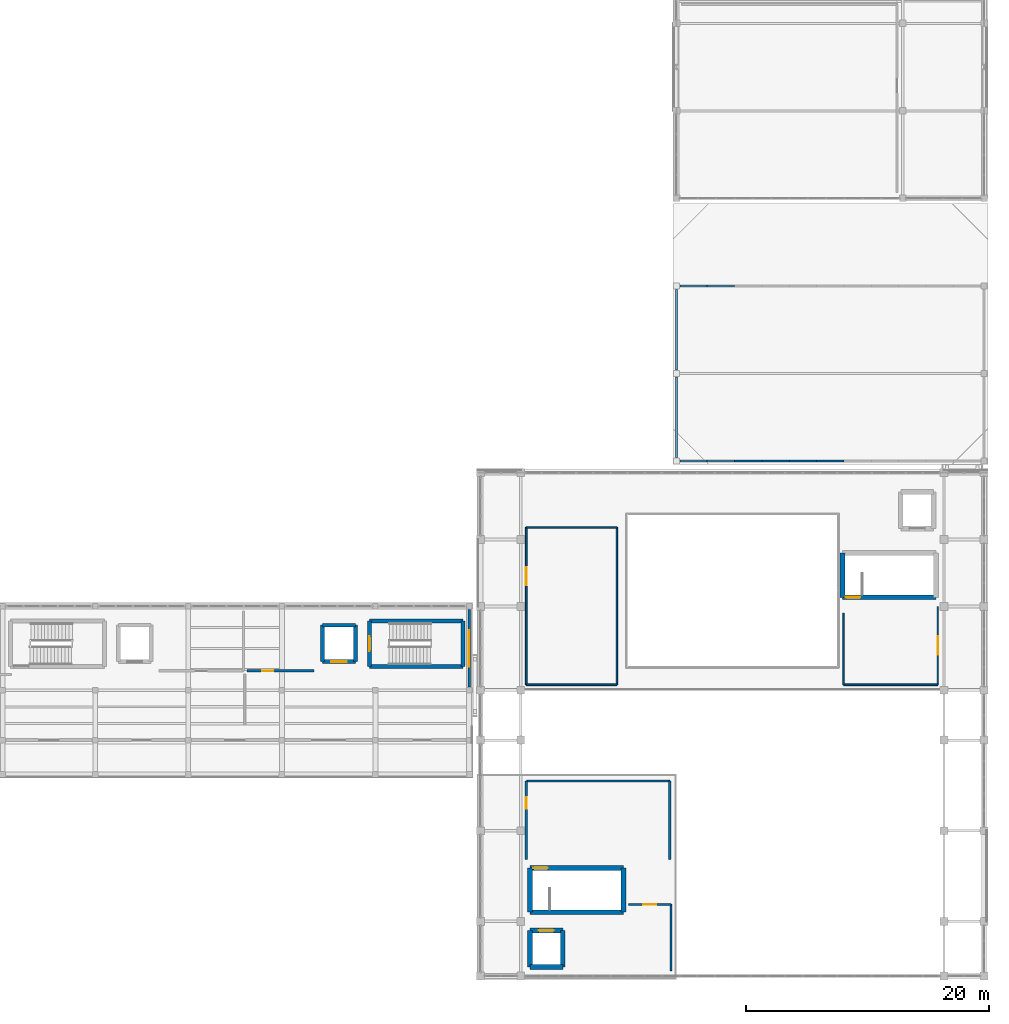
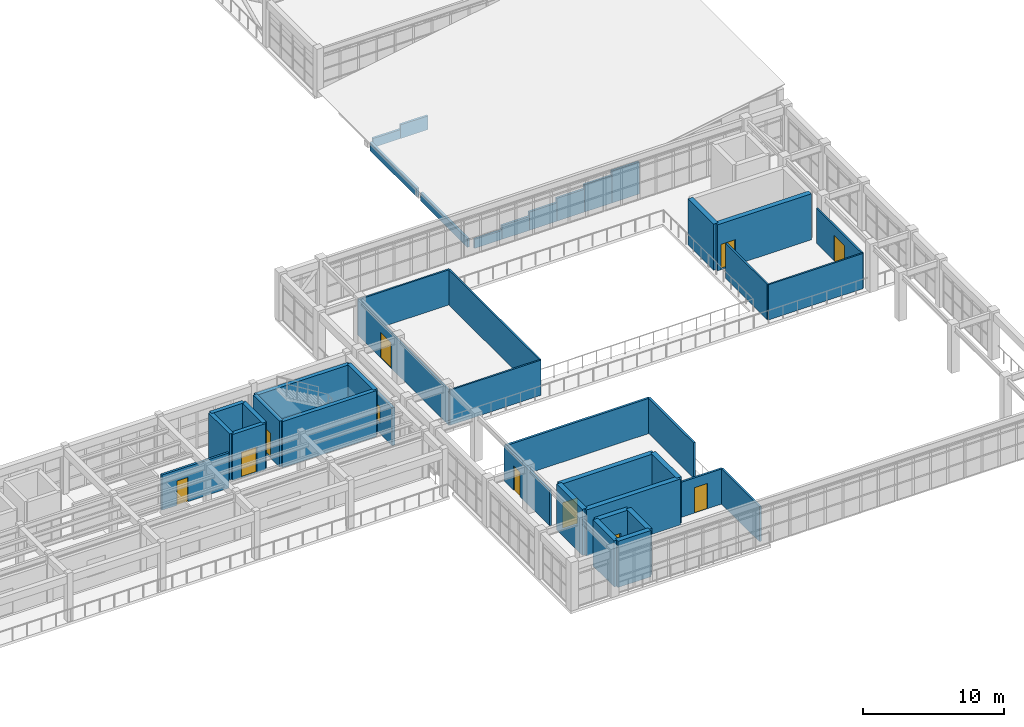
# One storey, part 55 of 66: 42 walls, 10 doors, 1 window, 11 openings.
"""IFC4 building model written with IfcOpenShell, lengths in metres."""

import ifcopenshell
import ifcopenshell.guid

model = None  # the IFC model being written
_history = None  # IfcOwnerHistory: only IFC2X3 demands one
_inside = {}  # id of a spatial element -> (the spatial element, [elements in it])
_under = {}  # id of a project, library or spatial element -> (it, [spatial elements below it])
_declared = {}  # id of a project -> (the project, [libraries it declares])
_typed = {}  # id of a type object -> (the type object, [elements of that type])
_made_of = {}  # id of a material, layer set ... -> (it, [elements and type objects made of it])


def new_model(schema):
    """Start an empty IFC model of exactly this schema.

    Asked for "IFC4X3", IfcOpenShell would pick the latest addendum, in which some entities
    have other attributes; the version numbers below select the first issue.
    IFC2X3 requires an IfcOwnerHistory on every rooted entity: one is made here for all.
    """
    global model, _history
    if schema == "IFC4X3":
        model = ifcopenshell.file(schema_version=(4, 3, 0, 0))
    else:
        model = ifcopenshell.file(schema=schema)
    _inside.clear()
    _under.clear()
    _declared.clear()
    _typed.clear()
    _made_of.clear()
    _history = None
    if model.schema == "IFC2X3":
        org = make("IfcOrganization", Name="unknown")
        user = make(
            "IfcPersonAndOrganization",
            ThePerson=make("IfcPerson", FamilyName="unknown"),
            TheOrganization=org,
        )
        app = make(
            "IfcApplication",
            ApplicationDeveloper=org,
            Version="unknown",
            ApplicationFullName="unknown",
            ApplicationIdentifier="unknown",
        )
        _history = make(
            "IfcOwnerHistory",
            OwningUser=user,
            OwningApplication=app,
            ChangeAction="ADDED",
            CreationDate=0,
        )
    return model


def make(cls, **values):
    """One entity of the class cls with the attributes given. An attribute that is None is left unset."""
    return model.create_entity(
        cls, **{name: value for name, value in values.items() if value is not None}
    )


def rooted(cls, **values):
    """An entity with a GlobalId (a new one), such as an element, a storey or a relation."""
    return make(cls, GlobalId=ifcopenshell.guid.new(), OwnerHistory=_history, **values)


def si_unit(unit_type, name, prefix=None):
    """IfcSIUnit, for example si_unit("LENGTHUNIT", "METRE", prefix="MILLI")."""
    return make("IfcSIUnit", UnitType=unit_type, Prefix=prefix, Name=name)


def assignment(units):
    """IfcUnitAssignment: the units of a project."""
    return None if units is None else make("IfcUnitAssignment", Units=units)


def point(xyz):
    """IfcCartesianPoint."""
    return None if xyz is None else make("IfcCartesianPoint", Coordinates=xyz)


def direction(xyz):
    """IfcDirection."""
    return None if xyz is None else make("IfcDirection", DirectionRatios=xyz)


def frame(location, z_axis=None, x_axis=None):
    """IfcAxis2Placement3D, a coordinate frame: its origin and axes. An axis left out is left unset."""
    return make(
        "IfcAxis2Placement3D",
        Location=point(location),
        Axis=direction(z_axis),
        RefDirection=direction(x_axis),
    )


def frame_2d(location, x_axis=None):
    """IfcAxis2Placement2D, a coordinate frame in the plane: its origin and x axis."""
    return make(
        "IfcAxis2Placement2D", Location=point(location), RefDirection=direction(x_axis)
    )


def origin():
    """The frame at (0, 0, 0) with its axes left unset."""
    return frame((0.0, 0.0, 0.0))


def place(relative_to, where):
    """IfcLocalPlacement: puts the frame where relative to a parent placement (None: the world)."""
    return make(
        "IfcLocalPlacement", PlacementRelTo=relative_to, RelativePlacement=where
    )


def context(
    kind, dimensions, precision=None, world=None, true_north=None, identifier=None
):
    """IfcGeometricRepresentationContext, for example the 3D "Model" context."""
    return make(
        "IfcGeometricRepresentationContext",
        ContextIdentifier=identifier,
        ContextType=kind,
        CoordinateSpaceDimension=dimensions,
        Precision=precision,
        WorldCoordinateSystem=world,
        TrueNorth=true_north,
    )


def subcontext(parent, identifier, kind, view, scale=None):
    """IfcGeometricRepresentationSubContext, for example "Body" below "Model"."""
    return make(
        "IfcGeometricRepresentationSubContext",
        ContextIdentifier=identifier,
        ContextType=kind,
        ParentContext=parent,
        TargetScale=scale,
        TargetView=view,
    )


def project(units=None, contexts=None):
    """IfcProject with its units and contexts."""
    return rooted(
        "IfcProject",
        Name="project",
        RepresentationContexts=contexts,
        UnitsInContext=assignment(units),
    )


def spatial(cls, under=None, at=None, **own):
    """A site, building, storey or space (cls), placed at a placement, below another one or the project."""
    s = rooted(cls, ObjectPlacement=at, **own)
    if under is not None:
        _under.setdefault(under.id(), (under, []))[1].append(s)
    return s


def profile(cls, at=None, kind="AREA", **sizes):
    """A parametric profile (cls). Its sizes go by their IFC names, for example OverallWidth=200.0."""
    return make(cls, ProfileType=kind, Position=at, **sizes)


def rectangle(**sizes):
    """IfcRectangleProfileDef."""
    return profile("IfcRectangleProfileDef", **sizes)


def extrude(swept, where, along, depth):
    """IfcExtrudedAreaSolid: the profile swept, set in the frame where, extruded along a direction by depth."""
    return make(
        "IfcExtrudedAreaSolid",
        SweptArea=swept,
        Position=where,
        ExtrudedDirection=direction(along),
        Depth=depth,
    )


def shape(context_of_items, identifier, shape_type, items):
    """IfcShapeRepresentation: the items that make up one representation, for example the "Body"."""
    return make(
        "IfcShapeRepresentation",
        ContextOfItems=context_of_items,
        RepresentationIdentifier=identifier,
        RepresentationType=shape_type,
        Items=items,
    )


def material(Name=None, Category=None):
    """IfcMaterial."""
    return make("IfcMaterial", Name=Name, Category=Category)


def layer(
    of_material, thickness, ventilated=None, Name=None, Category=None, Priority=None
):
    """IfcMaterialLayer: one layer of a wall or slab, of a material (None: an air gap)."""
    return make(
        "IfcMaterialLayer",
        Material=of_material,
        LayerThickness=thickness,
        IsVentilated=ventilated,
        Name=Name,
        Category=Category,
        Priority=Priority,
    )


def layer_set(layers, Name=None):
    """IfcMaterialLayerSet."""
    return make("IfcMaterialLayerSet", MaterialLayers=layers, LayerSetName=Name)


def made_of(thing, what):
    """Note that an element or type object is made of a material, layer set ...; save() writes the relation."""
    if what is not None:
        _made_of.setdefault(what.id(), (what, []))[1].append(thing)
    return thing


def type_object(cls, material=None, **own):
    """A type object (cls), such as IfcWallType, which elements share."""
    return made_of(rooted(cls, **own), material)


def element(
    cls,
    number,
    at=None,
    inside=None,
    cuts=None,
    type_object=None,
    material=None,
    context=None,
    identifier="Body",
    shape_type=None,
    held_by="IfcProductDefinitionShape",
    body=None,
    shapes=None,
    **own,
):
    """One element of the class cls, such as IfcWall. Its Tag is "e" and its number.

    at: its placement. inside: the storey or other place that contains it. cuts: it is an
    opening in that element (IfcRelVoidsElement). A single representation is given by context,
    identifier, shape_type and body (its items); several are given by shapes. held_by: the class
    of the entity that holds the representations. save() writes the other relations.
    """
    e = rooted(cls, Tag="e%d" % number, ObjectPlacement=at, **own)
    if body is not None:
        shapes = [shape(context, identifier, shape_type, body)]
    if shapes is not None:
        e.Representation = make(held_by, Representations=shapes)
    if inside is not None:
        _inside.setdefault(inside.id(), (inside, []))[1].append(e)
    if cuts is not None:
        rooted(
            "IfcRelVoidsElement", RelatingBuildingElement=cuts, RelatedOpeningElement=e
        )
    if type_object is not None:
        _typed.setdefault(type_object.id(), (type_object, []))[1].append(e)
    return made_of(e, material)


def fill(opening, filler):
    """IfcRelFillsElement: the door or window that sits in an opening."""
    return rooted(
        "IfcRelFillsElement",
        RelatingOpeningElement=opening,
        RelatedBuildingElement=filler,
    )


def aggregate(whole, parts):
    """IfcRelAggregates: a whole, such as a stair, and the parts it consists of."""
    return rooted("IfcRelAggregates", RelatingObject=whole, RelatedObjects=parts)


def save(model, path):
    """Write the relations noted so far, then the file.

    IfcRelAggregates (storeys below a building ...), IfcRelContainedInSpatialStructure (elements
    in a storey), IfcRelDefinesByType, IfcRelAssociatesMaterial and IfcRelDeclares: one each for
    every whole, place, type object, material and project.
    """
    for whole, parts in _under.values():
        aggregate(whole, parts)
    for where, things in _inside.values():
        rooted(
            "IfcRelContainedInSpatialStructure",
            RelatedElements=things,
            RelatingStructure=where,
        )
    for kind, things in _typed.values():
        rooted("IfcRelDefinesByType", RelatedObjects=things, RelatingType=kind)
    for what, things in _made_of.values():
        rooted("IfcRelAssociatesMaterial", RelatedObjects=things, RelatingMaterial=what)
    for by, libraries in _declared.values():
        rooted("IfcRelDeclares", RelatingContext=by, RelatedDefinitions=libraries)
    model.write(path)


model = new_model("IFC4")

# Units and contexts
model_context = context("Model", 3, precision=1e-05, world=origin(), true_north=direction((0.0, 1.0)))
body_context = subcontext(model_context, "Body", "Model", "MODEL_VIEW")
ifc_project = project(units=[si_unit("LENGTHUNIT", "METRE"), si_unit("AREAUNIT", "SQUARE_METRE"), si_unit("VOLUMEUNIT", "CUBIC_METRE"), si_unit("PLANEANGLEUNIT", "RADIAN"), si_unit("MASSUNIT", "GRAM", prefix="KILO")], contexts=[model_context])

# Site, building, storey
site_placement = place(None, origin())
site = spatial("IfcSite", under=ifc_project, at=site_placement, CompositionType="ELEMENT")
building_placement = place(site_placement, origin())
building = spatial("IfcBuilding", under=site, at=building_placement, Name="Candilejo Ridge Gondola Terminal", CompositionType="ELEMENT")
storey_placement = place(building_placement, frame((0.0, 0.0, 14.39990234375)))
storey = spatial("IfcBuildingStorey", under=building, at=storey_placement, Name="L03", CompositionType="ELEMENT", Elevation=14.39990234375)

# Wall, opening, window
ifc_material_1 = material(Name="Concrete C20/25 masonry blockwork (f'm 14 MPa)", Category="masonry")
ifc_layer_1 = layer(ifc_material_1, 0.219970703125)
ifc_layer_set_1 = layer_set([ifc_layer_1], Name="ARC-EXT-WALL-220")
wall_type_1 = type_object("IfcWallType", Name="ARC-EXT-WALL-220", PredefinedType="STANDARD", material=ifc_layer_set_1)
wall_1_placement = place(storey_placement, frame((132.949951171875, 36.449951171875, 0.0), z_axis=(0.0, 0.0, 1.0), x_axis=(0.0, -1.0, 0.0)))
wall_1 = element("IfcWall", 1, at=wall_1_placement, inside=storey, type_object=wall_type_1, Name="Exterior facade wall EW-V3-L03-084", PredefinedType="STANDARD", context=body_context, shape_type="SweptSolid", body=[
    extrude(rectangle(XDim=6.39990234375, YDim=0.219970703125, at=frame_2d((3.199951171875, 0.0))), origin(), (0.0, 0.0, 1.0), 3.280029296875),
])
opening_1_placement = place(wall_1_placement, frame((1.699951171875, 0.0, 0.8798828125)))
opening_1 = element("IfcOpeningElement", 2, at=opening_1_placement, cuts=wall_1, Name="Opening WN-05", PredefinedType="OPENING", context=body_context, shape_type="SweptSolid", body=[
    extrude(rectangle(XDim=3.0, YDim=1.449951171875, at=frame_2d((1.5, 0.72509765625))), frame((0.0, 0.119873046875, 0.0), z_axis=(0.0, -1.0, 0.0), x_axis=(1.0, 0.0, 0.0)), (0.0, 0.0, 1.0), 0.239990234375),
])
ifc_material_2 = material(Name="Low-E laminated double glazing 6+12A+6+1.52PVB+6 mm", Category="glass")
window_type = type_object("IfcWindowType", Name="ARC-WIN-3000X1650", PartitioningType="SINGLE_PANEL", PredefinedType="WINDOW", material=ifc_material_2)
window_placement = place(opening_1_placement, origin())
window = element("IfcWindow", 3, at=window_placement, inside=storey, type_object=window_type, Name="Window WIN-040", OverallHeight=1.449951171875, OverallWidth=3.0, PartitioningType="SINGLE_PANEL", PredefinedType="WINDOW", context=body_context, shape_type="SweptSolid", body=[
    extrude(rectangle(XDim=3.0, YDim=1.449951171875, at=frame_2d((1.5, 0.72509765625))), frame((0.0, 0.030029296875, 0.0), z_axis=(0.0, -1.0, 0.0), x_axis=(1.0, 0.0, 0.0)), (0.0, 0.0, 1.0), 0.06005859375),
])
fill(opening_1, window)

# Walls
ifc_material_3 = material(Name="Concrete f'c 35 MPa (C35/45)", Category="concrete")
ifc_layer_2 = layer(ifc_material_3, 0.179931640625)
ifc_layer_set_2 = layer_set([ifc_layer_2], Name="ARC-PARAPET-WALL-180")
wall_type_2 = type_object("IfcWallType", Name="ARC-PARAPET-WALL-180", PredefinedType="PARAPET", material=ifc_layer_set_2)
for number, where, z_axis, x_axis, name in (
    (4, (150.0, 48.929931640625, -0.239990234375), (0.0, 0.0, 1.0), (0.0, 1.0, 0.0), "Roof perimeter gable/spandrel wall L03-099"),
    (5, (150.0, 56.1298828125, -0.239990234375), (0.0, 0.0, 1.0), (0.0, 1.0, 0.0), "Roof perimeter gable/spandrel wall L03-100"),
):
    element("IfcWall", number, at=place(storey_placement, frame(where, z_axis=z_axis, x_axis=x_axis)), inside=storey, type_object=wall_type_2, Name=name, PredefinedType="PARAPET", context=body_context, shape_type="SweptSolid", body=[
        extrude(rectangle(XDim=6.64013671875, YDim=0.179931640625, at=frame_2d((3.320068359375, 0.0))), origin(), (0.0, 0.0, 1.0), 0.740234375),
    ])
wall_2_placement = place(storey_placement, frame((150.280029296875, 48.64990234375, -0.239990234375), z_axis=(0.0, 0.0, 1.0), x_axis=(1.0, 0.0, 0.0)))
element("IfcWall", 6, at=wall_2_placement, inside=storey, type_object=wall_type_2, Name="Roof perimeter gable/spandrel wall L03-103", PredefinedType="PARAPET", context=body_context, shape_type="SweptSolid", body=[
    extrude(rectangle(XDim=2.2490234375, YDim=0.179931640625, at=frame_2d((1.12451171875, 0.0))), origin(), (0.0, 0.0, 1.0), 0.78955078125),
])
wall_3_placement = place(storey_placement, frame((152.529052734375, 48.64990234375, -0.239990234375), z_axis=(0.0, 0.0, 1.0), x_axis=(1.0, 0.0, 0.0)))
element("IfcWall", 7, at=wall_3_placement, inside=storey, type_object=wall_type_2, Name="Roof perimeter gable/spandrel wall L03-104", PredefinedType="PARAPET", context=body_context, shape_type="SweptSolid", body=[
    extrude(rectangle(XDim=2.249267578125, YDim=0.179931640625, at=frame_2d((1.12451171875, 0.0))), origin(), (0.0, 0.0, 1.0), 1.186279296875),
])
wall_4_placement = place(storey_placement, frame((154.7783203125, 48.64990234375, -0.239990234375), z_axis=(0.0, 0.0, 1.0), x_axis=(1.0, 0.0, 0.0)))
element("IfcWall", 8, at=wall_4_placement, inside=storey, type_object=wall_type_2, Name="Roof perimeter gable/spandrel wall L03-105", PredefinedType="PARAPET", context=body_context, shape_type="SweptSolid", body=[
    extrude(rectangle(XDim=2.2490234375, YDim=0.179931640625, at=frame_2d((1.12451171875, 0.0))), origin(), (0.0, 0.0, 1.0), 1.582763671875),
])
wall_5_placement = place(storey_placement, frame((157.02734375, 48.64990234375, -0.239990234375), z_axis=(0.0, 0.0, 1.0), x_axis=(1.0, 0.0, 0.0)))
element("IfcWall", 9, at=wall_5_placement, inside=storey, type_object=wall_type_2, Name="Roof perimeter gable/spandrel wall L03-106", PredefinedType="PARAPET", context=body_context, shape_type="SweptSolid", body=[
    extrude(rectangle(XDim=2.2490234375, YDim=0.179931640625, at=frame_2d((1.12451171875, 0.0))), origin(), (0.0, 0.0, 1.0), 1.979248046875),
])
wall_6_placement = place(storey_placement, frame((159.2763671875, 48.64990234375, -0.239990234375), z_axis=(0.0, 0.0, 1.0), x_axis=(1.0, 0.0, 0.0)))
element("IfcWall", 10, at=wall_6_placement, inside=storey, type_object=wall_type_2, Name="Roof perimeter gable/spandrel wall L03-107", PredefinedType="PARAPET", context=body_context, shape_type="SweptSolid", body=[
    extrude(rectangle(XDim=2.2490234375, YDim=0.179931640625, at=frame_2d((1.12451171875, 0.0))), origin(), (0.0, 0.0, 1.0), 2.3759765625),
])
wall_7_placement = place(storey_placement, frame((161.525390625, 48.64990234375, -0.239990234375), z_axis=(0.0, 0.0, 1.0), x_axis=(1.0, 0.0, 0.0)))
element("IfcWall", 11, at=wall_7_placement, inside=storey, type_object=wall_type_2, Name="Roof perimeter gable/spandrel wall L03-108", PredefinedType="PARAPET", context=body_context, shape_type="SweptSolid", body=[
    extrude(rectangle(XDim=2.2490234375, YDim=0.179931640625, at=frame_2d((1.12451171875, 0.0))), origin(), (0.0, 0.0, 1.0), 2.7724609375),
])
wall_8_placement = place(storey_placement, frame((150.280029296875, 63.050048828125, -0.239990234375), z_axis=(0.0, 0.0, 1.0), x_axis=(1.0, 0.0, 0.0)))
element("IfcWall", 12, at=wall_8_placement, inside=storey, type_object=wall_type_2, Name="Roof perimeter gable/spandrel wall L03-114", PredefinedType="PARAPET", context=body_context, shape_type="SweptSolid", body=[
    extrude(rectangle(XDim=2.2490234375, YDim=0.179931640625, at=frame_2d((1.12451171875, 0.0))), origin(), (0.0, 0.0, 1.0), 0.78955078125),
])
wall_9_placement = place(storey_placement, frame((152.529052734375, 63.050048828125, -0.239990234375), z_axis=(0.0, 0.0, 1.0), x_axis=(1.0, 0.0, 0.0)))
element("IfcWall", 13, at=wall_9_placement, inside=storey, type_object=wall_type_2, Name="Roof perimeter gable/spandrel wall L03-115", PredefinedType="PARAPET", context=body_context, shape_type="SweptSolid", body=[
    extrude(rectangle(XDim=2.249267578125, YDim=0.179931640625, at=frame_2d((1.12451171875, 0.0))), origin(), (0.0, 0.0, 1.0), 1.186279296875),
])
ifc_material_4 = material(Name="Gypsum board Type X acoustic partition (2x15.9 mm)", Category="gypsum")
ifc_layer_3 = layer(ifc_material_4, 0.135009765625)
ifc_layer_set_3 = layer_set([ifc_layer_3], Name="ARC-PART-GYP135")
wall_type_3 = type_object("IfcWallType", Name="ARC-PART-GYP135", PredefinedType="PARTITIONING", material=ifc_layer_set_3)
wall_10_placement = place(storey_placement, frame((137.64990234375, 30.25, 0.0), z_axis=(0.0, 0.0, 1.0), x_axis=(1.0, 0.0, 0.0)))
element("IfcWall", 14, at=wall_10_placement, inside=storey, type_object=wall_type_3, Name="Interior partition PT-V4-L03-0116", PredefinedType="PARTITIONING", context=body_context, shape_type="SweptSolid", body=[
    extrude(rectangle(XDim=7.4501953125, YDim=0.135009765625, at=frame_2d((3.72509765625, 0.0))), origin(), (0.0, 0.0, 1.0), 3.050048828125),
])

# Wall, opening, door
wall_11_placement = place(storey_placement, frame((137.64990234375, 30.25, 0.0), z_axis=(0.0, 0.0, 1.0), x_axis=(0.0, 1.0, 0.0)))
wall_11 = element("IfcWall", 15, at=wall_11_placement, inside=storey, type_object=wall_type_3, Name="Interior partition PT-V4-L03-0117", PredefinedType="PARTITIONING", context=body_context, shape_type="SweptSolid", body=[
    extrude(rectangle(XDim=12.949951171875, YDim=0.135009765625, at=frame_2d((6.47509765625, 0.0))), origin(), (0.0, 0.0, 1.0), 3.050048828125),
])
opening_2_placement = place(wall_11_placement, frame((8.175048828125, 0.0, 0.0)))
opening_2 = element("IfcOpeningElement", 16, at=opening_2_placement, cuts=wall_11, Name="Opening ID-03B", PredefinedType="OPENING", context=body_context, shape_type="SweptSolid", body=[
    extrude(rectangle(XDim=1.5, YDim=2.199951171875, at=frame_2d((0.75, 1.10009765625))), frame((0.0, 0.077392578125, 0.0), z_axis=(0.0, -1.0, 0.0), x_axis=(1.0, 0.0, 0.0)), (0.0, 0.0, 1.0), 0.155029296875),
])
ifc_material_5 = material(Name="Solid-core fire-rated hardwood door leaf", Category="wood")
door_type_1 = type_object("IfcDoorType", Name="ARC-DOOR-DBL-1500", OperationType="NOTDEFINED", PredefinedType="DOOR", material=ifc_material_5)
door_1_placement = place(opening_2_placement, origin())
door_1 = element("IfcDoor", 17, at=door_1_placement, inside=storey, type_object=door_type_1, Name="Interior door IDR-0064 (312)", OperationType="DOUBLE_DOOR_SINGLE_SWING", OverallHeight=2.199951171875, OverallWidth=1.5, PredefinedType="DOOR", context=body_context, shape_type="SweptSolid", body=[
    extrude(rectangle(XDim=1.5, YDim=2.199951171875, at=frame_2d((0.75, 1.10009765625))), frame((0.0, 0.02490234375, 0.0), z_axis=(0.0, -1.0, 0.0), x_axis=(1.0, 0.0, 0.0)), (0.0, 0.0, 1.0), 0.050048828125),
])
fill(opening_2, door_1)

# Walls
wall_12_placement = place(storey_placement, frame((145.10009765625, 30.25, 0.0), z_axis=(0.0, 0.0, 1.0), x_axis=(0.0, 1.0, 0.0)))
element("IfcWall", 18, at=wall_12_placement, inside=storey, type_object=wall_type_3, Name="Interior partition PT-V4-L03-0118", PredefinedType="PARTITIONING", context=body_context, shape_type="SweptSolid", body=[
    extrude(rectangle(XDim=12.949951171875, YDim=0.135009765625, at=frame_2d((6.47509765625, 0.0))), origin(), (0.0, 0.0, 1.0), 3.050048828125),
])
wall_13_placement = place(storey_placement, frame((137.64990234375, 43.199951171875, 0.0), z_axis=(0.0, 0.0, 1.0), x_axis=(1.0, 0.0, 0.0)))
element("IfcWall", 19, at=wall_13_placement, inside=storey, type_object=wall_type_3, Name="Interior partition PT-V4-L03-0119", PredefinedType="PARTITIONING", context=body_context, shape_type="SweptSolid", body=[
    extrude(rectangle(XDim=7.4501953125, YDim=0.135009765625, at=frame_2d((3.72509765625, 0.0))), origin(), (0.0, 0.0, 1.0), 3.050048828125),
])
wall_14_placement = place(storey_placement, frame((163.75, 30.25, 0.0), z_axis=(0.0, 0.0, 1.0), x_axis=(1.0, 0.0, 0.0)))
element("IfcWall", 20, at=wall_14_placement, inside=storey, type_object=wall_type_3, Name="Interior partition PT-V4-L03-0120", PredefinedType="PARTITIONING", context=body_context, shape_type="SweptSolid", body=[
    extrude(rectangle(XDim=7.75, YDim=0.135009765625, at=frame_2d((3.875, 0.0))), origin(), (0.0, 0.0, 1.0), 3.050048828125),
])
wall_15_placement = place(storey_placement, frame((163.75, 30.25, 0.0), z_axis=(0.0, 0.0, 1.0), x_axis=(0.0, 1.0, 0.0)))
element("IfcWall", 21, at=wall_15_placement, inside=storey, type_object=wall_type_3, Name="Interior partition PT-V4-L03-0121", PredefinedType="PARTITIONING", context=body_context, shape_type="SweptSolid", body=[
    extrude(rectangle(XDim=5.89990234375, YDim=0.135009765625, at=frame_2d((2.949951171875, 0.0))), origin(), (0.0, 0.0, 1.0), 3.050048828125),
])

# Wall, opening, door
wall_16_placement = place(storey_placement, frame((171.5, 30.25, 0.0), z_axis=(0.0, 0.0, 1.0), x_axis=(0.0, 1.0, 0.0)))
wall_16 = element("IfcWall", 22, at=wall_16_placement, inside=storey, type_object=wall_type_3, Name="Interior partition PT-V4-L03-0122", PredefinedType="PARTITIONING", context=body_context, shape_type="SweptSolid", body=[
    extrude(rectangle(XDim=6.449951171875, YDim=0.135009765625, at=frame_2d((3.22509765625, 0.0))), origin(), (0.0, 0.0, 1.0), 3.050048828125),
])
opening_3_placement = place(wall_16_placement, frame((2.47509765625, 0.0, 0.0)))
opening_3 = element("IfcOpeningElement", 23, at=opening_3_placement, cuts=wall_16, Name="Opening ID-03B", PredefinedType="OPENING", context=body_context, shape_type="SweptSolid", body=[
    extrude(rectangle(XDim=1.5, YDim=2.199951171875, at=frame_2d((0.75, 1.10009765625))), frame((0.0, 0.077392578125, 0.0), z_axis=(0.0, -1.0, 0.0), x_axis=(1.0, 0.0, 0.0)), (0.0, 0.0, 1.0), 0.155029296875),
])
door_2_placement = place(opening_3_placement, origin())
door_2 = element("IfcDoor", 24, at=door_2_placement, inside=storey, type_object=door_type_1, Name="Interior door IDR-0065 (314)", OperationType="DOUBLE_DOOR_SINGLE_SWING", OverallHeight=2.199951171875, OverallWidth=1.5, PredefinedType="DOOR", context=body_context, shape_type="SweptSolid", body=[
    extrude(rectangle(XDim=1.5, YDim=2.199951171875, at=frame_2d((0.75, 1.10009765625))), frame((0.0, 0.02490234375, 0.0), z_axis=(0.0, -1.0, 0.0), x_axis=(1.0, 0.0, 0.0)), (0.0, 0.0, 1.0), 0.050048828125),
])
fill(opening_3, door_2)

ifc_material_6 = material(Name="Gypsum board Type X acoustic partition (2x15.9 mm)", Category="gypsum")
ifc_layer_4 = layer(ifc_material_6, 0.159912109375)
ifc_layer_set_4 = layer_set([ifc_layer_4], Name="ARC-PART-GYP160-EI90")
wall_type_4 = type_object("IfcWallType", Name="ARC-PART-GYP160-EI90", PredefinedType="PARTITIONING", material=ifc_layer_set_4)
wall_17_placement = place(storey_placement, frame((146.050048828125, 12.199951171875, 0.0), z_axis=(0.0, 0.0, 1.0), x_axis=(1.0, 0.0, 0.0)))
wall_17 = element("IfcWall", 25, at=wall_17_placement, inside=storey, type_object=wall_type_4, Name="Interior partition PT-V4-L03-0111", PredefinedType="PARTITIONING", context=body_context, shape_type="SweptSolid", body=[
    extrude(rectangle(XDim=3.5, YDim=0.159912109375, at=frame_2d((1.75, 0.0))), origin(), (0.0, 0.0, 1.0), 3.050048828125),
])
opening_4_placement = place(wall_17_placement, frame((1.22509765625, 0.0, 0.0)))
opening_4 = element("IfcOpeningElement", 26, at=opening_4_placement, cuts=wall_17, Name="Opening ID-01A", PredefinedType="OPENING", context=body_context, shape_type="SweptSolid", body=[
    extrude(rectangle(XDim=1.050048828125, YDim=2.199951171875, at=frame_2d((0.52490234375, 1.10009765625))), frame((0.0, 0.08984375, 0.0), z_axis=(0.0, -1.0, 0.0), x_axis=(1.0, 0.0, 0.0)), (0.0, 0.0, 1.0), 0.179931640625),
])
ifc_material_7 = material(Name="Solid-core fire-rated hardwood door leaf", Category="wood")
door_type_2 = type_object("IfcDoorType", Name="ARC-DOOR-INT-1050", OperationType="NOTDEFINED", PredefinedType="DOOR", material=ifc_material_7)
door_3_placement = place(opening_4_placement, origin())
door_3 = element("IfcDoor", 27, at=door_3_placement, inside=storey, type_object=door_type_2, Name="Interior door IDR-0062 (310)", OperationType="SINGLE_SWING_RIGHT", OverallHeight=2.199951171875, OverallWidth=1.050048828125, PredefinedType="DOOR", context=body_context, shape_type="SweptSolid", body=[
    extrude(rectangle(XDim=1.050048828125, YDim=2.199951171875, at=frame_2d((0.52490234375, 1.10009765625))), frame((0.0, 0.02490234375, 0.0), z_axis=(0.0, -1.0, 0.0), x_axis=(1.0, 0.0, 0.0)), (0.0, 0.0, 1.0), 0.050048828125),
])
fill(opening_4, door_3)

# Wall
wall_18_placement = place(storey_placement, frame((149.550048828125, 6.75, 0.0), z_axis=(0.0, 0.0, 1.0), x_axis=(0.0, 1.0, 0.0)))
element("IfcWall", 28, at=wall_18_placement, inside=storey, type_object=wall_type_4, Name="Interior partition PT-V4-L03-0112", PredefinedType="PARTITIONING", context=body_context, shape_type="SweptSolid", body=[
    extrude(rectangle(XDim=5.449951171875, YDim=0.159912109375, at=frame_2d((2.72509765625, 0.0))), origin(), (0.0, 0.0, 1.0), 3.050048828125),
])

# Wall, opening, door
ifc_material_8 = material(Name="Concrete C20/25 masonry blockwork (f'm 14 MPa)", Category="masonry")
ifc_layer_5 = layer(ifc_material_8, 0.179931640625)
ifc_layer_set_5 = layer_set([ifc_layer_5], Name="ARC-WALL-PLUMBING-180")
wall_type_5 = type_object("IfcWallType", Name="ARC-WALL-PLUMBING-180", PredefinedType="PLUMBINGWALL", material=ifc_layer_set_5)
wall_19_placement = place(storey_placement, frame((114.699951171875, 31.39990234375, 0.0), z_axis=(0.0, 0.0, 1.0), x_axis=(1.0, 0.0, 0.0)))
wall_19 = element("IfcWall", 29, at=wall_19_placement, inside=storey, type_object=wall_type_5, Name="Interior partition PT-V3-L03-0110", PredefinedType="PLUMBINGWALL", context=body_context, shape_type="SweptSolid", body=[
    extrude(rectangle(XDim=5.5, YDim=0.179931640625, at=frame_2d((2.75, 0.0))), origin(), (0.0, 0.0, 1.0), 3.050048828125),
])
opening_5_placement = place(wall_19_placement, frame((1.239990234375, 0.0, 0.0)))
opening_5 = element("IfcOpeningElement", 30, at=opening_5_placement, cuts=wall_19, Name="Opening ID-04A", PredefinedType="OPENING", context=body_context, shape_type="SweptSolid", body=[
    extrude(rectangle(XDim=0.919921875, YDim=2.10009765625, at=frame_2d((0.4599609375, 1.050048828125))), frame((0.0, 0.099853515625, 0.0), z_axis=(0.0, -1.0, 0.0), x_axis=(1.0, 0.0, 0.0)), (0.0, 0.0, 1.0), 0.199951171875),
])
ifc_material_9 = material(Name="Solid-core fire-rated hardwood door leaf", Category="wood")
door_type_3 = type_object("IfcDoorType", Name="ARC-DOOR-WC-0920", OperationType="NOTDEFINED", PredefinedType="DOOR", material=ifc_material_9)
door_4_placement = place(opening_5_placement, origin())
door_4 = element("IfcDoor", 31, at=door_4_placement, inside=storey, type_object=door_type_3, Name="Interior door IDR-0061 (309)", OperationType="SINGLE_SWING_LEFT", OverallHeight=2.10009765625, OverallWidth=0.919921875, PredefinedType="DOOR", context=body_context, shape_type="SweptSolid", body=[
    extrude(rectangle(XDim=0.919921875, YDim=2.10009765625, at=frame_2d((0.4599609375, 1.050048828125))), frame((0.0, 0.02490234375, 0.0), z_axis=(0.0, -1.0, 0.0), x_axis=(1.0, 0.0, 0.0)), (0.0, 0.0, 1.0), 0.050048828125),
])
fill(opening_5, door_4)

# Wall
wall_20_placement = place(storey_placement, frame((137.64990234375, 22.35009765625, 0.0), z_axis=(0.0, 0.0, 1.0), x_axis=(1.0, 0.0, 0.0)))
element("IfcWall", 32, at=wall_20_placement, inside=storey, type_object=wall_type_5, Name="Interior partition PT-V4-L03-0113", PredefinedType="PLUMBINGWALL", context=body_context, shape_type="SweptSolid", body=[
    extrude(rectangle(XDim=11.800048828125, YDim=0.179931640625, at=frame_2d((5.89990234375, 0.0))), origin(), (0.0, 0.0, 1.0), 3.050048828125),
])

# Wall, opening, door
wall_21_placement = place(storey_placement, frame((137.64990234375, 15.89990234375, 0.0), z_axis=(0.0, 0.0, 1.0), x_axis=(0.0, 1.0, 0.0)))
wall_21 = element("IfcWall", 33, at=wall_21_placement, inside=storey, type_object=wall_type_5, Name="Interior partition PT-V4-L03-0114", PredefinedType="PLUMBINGWALL", context=body_context, shape_type="SweptSolid", body=[
    extrude(rectangle(XDim=6.4501953125, YDim=0.179931640625, at=frame_2d((3.22509765625, 0.0))), origin(), (0.0, 0.0, 1.0), 3.050048828125),
])
opening_6_placement = place(wall_21_placement, frame((4.1650390625, 0.0, 0.0)))
opening_6 = element("IfcOpeningElement", 34, at=opening_6_placement, cuts=wall_21, Name="Opening ID-04A", PredefinedType="OPENING", context=body_context, shape_type="SweptSolid", body=[
    extrude(rectangle(XDim=0.919921875, YDim=2.10009765625, at=frame_2d((0.4599609375, 1.050048828125))), frame((0.0, 0.099853515625, 0.0), z_axis=(0.0, -1.0, 0.0), x_axis=(1.0, 0.0, 0.0)), (0.0, 0.0, 1.0), 0.199951171875),
])
door_5_placement = place(opening_6_placement, origin())
door_5 = element("IfcDoor", 35, at=door_5_placement, inside=storey, type_object=door_type_3, Name="Interior door IDR-0063 (311)", OperationType="SINGLE_SWING_LEFT", OverallHeight=2.10009765625, OverallWidth=0.919921875, PredefinedType="DOOR", context=body_context, shape_type="SweptSolid", body=[
    extrude(rectangle(XDim=0.919921875, YDim=2.10009765625, at=frame_2d((0.4599609375, 1.050048828125))), frame((0.0, 0.02490234375, 0.0), z_axis=(0.0, -1.0, 0.0), x_axis=(1.0, 0.0, 0.0)), (0.0, 0.0, 1.0), 0.050048828125),
])
fill(opening_6, door_5)

# Walls
wall_22_placement = place(storey_placement, frame((149.449951171875, 15.89990234375, 0.0), z_axis=(0.0, 0.0, 1.0), x_axis=(0.0, 1.0, 0.0)))
element("IfcWall", 36, at=wall_22_placement, inside=storey, type_object=wall_type_5, Name="Interior partition PT-V4-L03-0115", PredefinedType="PLUMBINGWALL", context=body_context, shape_type="SweptSolid", body=[
    extrude(rectangle(XDim=6.4501953125, YDim=0.179931640625, at=frame_2d((3.22509765625, 0.0))), origin(), (0.0, 0.0, 1.0), 3.050048828125),
])
ifc_material_10 = material(Name="Concrete f'c 35 MPa (C35/45)", Category="concrete")
ifc_layer_6 = layer(ifc_material_10, 0.324951171875)
ifc_layer_set_6 = layer_set([ifc_layer_6], Name="STR-CORE-WALL-325")
wall_type_6 = type_object("IfcWallType", Name="STR-CORE-WALL-325", PredefinedType="SHEAR", material=ifc_layer_set_6)
for number, where, z_axis, x_axis, name in (
    (37, (124.75, 31.75, 0.0), (0.0, 0.0, 1.0), (1.0, 0.0, 0.0), "Core stair shear wall SW-C-V3B-L03-ST-S"),
    (38, (132.449951171875, 35.5, 0.0), (0.0, 0.0, 1.0), (-1.0, 0.0, 0.0), "Core stair shear wall SW-C-V3B-L03-ST-N"),
):
    element("IfcWall", number, at=place(storey_placement, frame(where, z_axis=z_axis, x_axis=x_axis)), inside=storey, type_object=wall_type_6, Name=name, PredefinedType="SHEAR", context=body_context, shape_type="SweptSolid", body=[
        extrude(rectangle(XDim=7.699951171875, YDim=0.324951171875, at=frame_2d((3.85009765625, 0.0))), origin(), (0.0, 0.0, 1.0), 3.989990234375),
    ])

# Wall, opening, door
wall_23_placement = place(storey_placement, frame((124.75, 35.5, 0.0), z_axis=(0.0, 0.0, 1.0), x_axis=(0.0, -1.0, 0.0)))
wall_23 = element("IfcWall", 39, at=wall_23_placement, inside=storey, type_object=wall_type_6, Name="Core stair shear wall SW-C-V3B-L03-ST-W", PredefinedType="SHEAR", context=body_context, shape_type="SweptSolid", body=[
    extrude(rectangle(XDim=3.75, YDim=0.324951171875, at=frame_2d((1.875, 0.0))), origin(), (0.0, 0.0, 1.0), 3.989990234375),
])
opening_7_placement = place(wall_23_placement, frame((1.27490234375, 0.0, 0.0)))
opening_7 = element("IfcOpeningElement", 40, at=opening_7_placement, cuts=wall_23, Name="Opening FD-01", PredefinedType="OPENING", context=body_context, shape_type="SweptSolid", body=[
    extrude(rectangle(XDim=1.199951171875, YDim=2.199951171875, at=frame_2d((0.60009765625, 1.10009765625))), frame((0.0, 0.17236328125, 0.0), z_axis=(0.0, -1.0, 0.0), x_axis=(1.0, 0.0, 0.0)), (0.0, 0.0, 1.0), 0.344970703125),
])
ifc_material_11 = material(Name="Steel ASTM A653 Grade 33 hollow-metal door", Category="steel")
door_type_4 = type_object("IfcDoorType", Name="ARC-DOOR-FD90-1200", OperationType="NOTDEFINED", PredefinedType="DOOR", material=ifc_material_11)
door_6_placement = place(opening_7_placement, origin())
door_6 = element("IfcDoor", 41, at=door_6_placement, inside=storey, type_object=door_type_4, Name="Fire stair door SDR-023", OperationType="SINGLE_SWING_LEFT", OverallHeight=2.199951171875, OverallWidth=1.199951171875, PredefinedType="DOOR", context=body_context, shape_type="SweptSolid", body=[
    extrude(rectangle(XDim=1.199951171875, YDim=2.199951171875, at=frame_2d((0.60009765625, 1.10009765625))), frame((0.0, 0.02490234375, 0.0), z_axis=(0.0, -1.0, 0.0), x_axis=(1.0, 0.0, 0.0)), (0.0, 0.0, 1.0), 0.050048828125),
])
fill(opening_7, door_6)

# Wall
wall_24_placement = place(storey_placement, frame((132.449951171875, 31.75, 0.0), z_axis=(0.0, 0.0, 1.0), x_axis=(0.0, 1.0, 0.0)))
element("IfcWall", 42, at=wall_24_placement, inside=storey, type_object=wall_type_6, Name="Core stair shear wall SW-C-V3B-L03-ST-E", PredefinedType="SHEAR", context=body_context, shape_type="SweptSolid", body=[
    extrude(rectangle(XDim=3.75, YDim=0.324951171875, at=frame_2d((1.875, 0.0))), origin(), (0.0, 0.0, 1.0), 3.989990234375),
])

# Wall, opening, door
wall_25_placement = place(storey_placement, frame((120.89990234375, 32.14990234375, 0.0), z_axis=(0.0, 0.0, 1.0), x_axis=(1.0, 0.0, 0.0)))
wall_25 = element("IfcWall", 43, at=wall_25_placement, inside=storey, type_object=wall_type_6, Name="Lift shaft shear wall SW-C-V3B-L03-LF-S", PredefinedType="SHEAR", context=body_context, shape_type="SweptSolid", body=[
    extrude(rectangle(XDim=2.7001953125, YDim=0.324951171875, at=frame_2d((1.35009765625, 0.0))), origin(), (0.0, 0.0, 1.0), 3.989990234375),
])
opening_8_placement = place(wall_25_placement, frame((0.72509765625, 0.0, 0.0)))
opening_8 = element("IfcOpeningElement", 44, at=opening_8_placement, cuts=wall_25, Name="Opening LD-01B", PredefinedType="OPENING", context=body_context, shape_type="SweptSolid", body=[
    extrude(rectangle(XDim=1.25, YDim=2.199951171875, at=frame_2d((0.625, 1.10009765625))), frame((0.0, 0.17236328125, 0.0), z_axis=(0.0, -1.0, 0.0), x_axis=(1.0, 0.0, 0.0)), (0.0, 0.0, 1.0), 0.344970703125),
])
ifc_material_12 = material(Name="Brushed stainless steel AISI 316", Category="steel")
door_type_5 = type_object("IfcDoorType", Name="ARC-LIFT-DOOR-1250", OperationType="NOTDEFINED", PredefinedType="DOOR", material=ifc_material_12)
door_7_placement = place(opening_8_placement, origin())
door_7 = element("IfcDoor", 45, at=door_7_placement, inside=storey, type_object=door_type_5, Name="Elevator landing door LDR-023", OperationType="SLIDING_TO_LEFT", OverallHeight=2.199951171875, OverallWidth=1.25, PredefinedType="DOOR", context=body_context, shape_type="SweptSolid", body=[
    extrude(rectangle(XDim=1.25, YDim=2.199951171875, at=frame_2d((0.625, 1.10009765625))), frame((0.0, 0.02490234375, 0.0), z_axis=(0.0, -1.0, 0.0), x_axis=(1.0, 0.0, 0.0)), (0.0, 0.0, 1.0), 0.050048828125),
])
fill(opening_8, door_7)

# Walls
wall_26_placement = place(storey_placement, frame((120.89990234375, 35.14990234375, 0.0), z_axis=(0.0, 0.0, 1.0), x_axis=(1.0, 0.0, 0.0)))
element("IfcWall", 46, at=wall_26_placement, inside=storey, type_object=wall_type_6, Name="Lift shaft shear wall SW-C-V3B-L03-LF-N", PredefinedType="SHEAR", context=body_context, shape_type="SweptSolid", body=[
    extrude(rectangle(XDim=2.7001953125, YDim=0.324951171875, at=frame_2d((1.35009765625, 0.0))), origin(), (0.0, 0.0, 1.0), 3.989990234375),
])
for number, where, z_axis, x_axis, name in (
    (47, (120.89990234375, 32.14990234375, 0.0), (0.0, 0.0, 1.0), (0.0, 1.0, 0.0), "Lift shaft shear wall SW-C-V3B-L03-LF-W"),
    (48, (123.60009765625, 32.14990234375, 0.0), (0.0, 0.0, 1.0), (0.0, 1.0, 0.0), "Lift shaft shear wall SW-C-V3B-L03-LF-E"),
):
    element("IfcWall", number, at=place(storey_placement, frame(where, z_axis=z_axis, x_axis=x_axis)), inside=storey, type_object=wall_type_6, Name=name, PredefinedType="SHEAR", context=body_context, shape_type="SweptSolid", body=[
        extrude(rectangle(XDim=3.0, YDim=0.324951171875, at=frame_2d((1.5, 0.0))), origin(), (0.0, 0.0, 1.0), 3.989990234375),
    ])
ifc_material_13 = material(Name="Concrete f'c 35 MPa (C35/45)", Category="concrete")
ifc_layer_7 = layer(ifc_material_13, 0.39990234375)
ifc_layer_set_7 = layer_set([ifc_layer_7], Name="STR-CORE-WALL-400")
wall_type_7 = type_object("IfcWallType", Name="STR-CORE-WALL-400", PredefinedType="SHEAR", material=ifc_layer_set_7)
wall_27_placement = place(storey_placement, frame((137.949951171875, 11.550048828125, 0.0), z_axis=(0.0, 0.0, 1.0), x_axis=(1.0, 0.0, 0.0)))
element("IfcWall", 49, at=wall_27_placement, inside=storey, type_object=wall_type_7, Name="Core stair shear wall SW-C-V4A-L03-ST-S", PredefinedType="SHEAR", context=body_context, shape_type="SweptSolid", body=[
    extrude(rectangle(XDim=7.699951171875, YDim=0.39990234375, at=frame_2d((3.85009765625, 0.0))), origin(), (0.0, 0.0, 1.0), 3.989990234375),
])

# Wall, opening, door
wall_28_placement = place(storey_placement, frame((145.64990234375, 15.199951171875, 0.0), z_axis=(0.0, 0.0, 1.0), x_axis=(-1.0, 0.0, 0.0)))
wall_28 = element("IfcWall", 50, at=wall_28_placement, inside=storey, type_object=wall_type_7, Name="Core stair shear wall SW-C-V4A-L03-ST-N", PredefinedType="SHEAR", context=body_context, shape_type="SweptSolid", body=[
    extrude(rectangle(XDim=7.699951171875, YDim=0.39990234375, at=frame_2d((3.85009765625, 0.0))), origin(), (0.0, 0.0, 1.0), 3.989990234375),
])
opening_9_placement = place(wall_28_placement, frame((6.219970703125, 0.0, 0.0)))
opening_9 = element("IfcOpeningElement", 51, at=opening_9_placement, cuts=wall_28, Name="Opening FD-01", PredefinedType="OPENING", context=body_context, shape_type="SweptSolid", body=[
    extrude(rectangle(XDim=1.199951171875, YDim=2.199951171875, at=frame_2d((0.60009765625, 1.10009765625))), frame((0.0, 0.2099609375, 0.0), z_axis=(0.0, -1.0, 0.0), x_axis=(1.0, 0.0, 0.0)), (0.0, 0.0, 1.0), 0.419921875),
])
door_8_placement = place(opening_9_placement, origin())
door_8 = element("IfcDoor", 52, at=door_8_placement, inside=storey, type_object=door_type_4, Name="Fire stair door SDR-028", OperationType="SINGLE_SWING_RIGHT", OverallHeight=2.199951171875, OverallWidth=1.199951171875, PredefinedType="DOOR", context=body_context, shape_type="SweptSolid", body=[
    extrude(rectangle(XDim=1.199951171875, YDim=2.199951171875, at=frame_2d((0.60009765625, 1.10009765625))), frame((0.0, 0.02490234375, 0.0), z_axis=(0.0, -1.0, 0.0), x_axis=(1.0, 0.0, 0.0)), (0.0, 0.0, 1.0), 0.050048828125),
])
fill(opening_9, door_8)

# Walls
for number, where, z_axis, x_axis, name in (
    (53, (137.949951171875, 15.199951171875, 0.0), (0.0, 0.0, 1.0), (0.0, -1.0, 0.0), "Core stair shear wall SW-C-V4A-L03-ST-W"),
    (54, (145.64990234375, 11.550048828125, 0.0), (0.0, 0.0, 1.0), (0.0, 1.0, 0.0), "Core stair shear wall SW-C-V4A-L03-ST-E"),
):
    element("IfcWall", number, at=place(storey_placement, frame(where, z_axis=z_axis, x_axis=x_axis)), inside=storey, type_object=wall_type_7, Name=name, PredefinedType="SHEAR", context=body_context, shape_type="SweptSolid", body=[
        extrude(rectangle(XDim=3.64990234375, YDim=0.39990234375, at=frame_2d((1.824951171875, 0.0))), origin(), (0.0, 0.0, 1.0), 3.989990234375),
    ])
wall_29_placement = place(storey_placement, frame((137.949951171875, 7.050048828125, 0.0), z_axis=(0.0, 0.0, 1.0), x_axis=(1.0, 0.0, 0.0)))
element("IfcWall", 55, at=wall_29_placement, inside=storey, type_object=wall_type_7, Name="Lift shaft shear wall SW-C-V4A-L03-LF-S", PredefinedType="SHEAR", context=body_context, shape_type="SweptSolid", body=[
    extrude(rectangle(XDim=2.699951171875, YDim=0.39990234375, at=frame_2d((1.35009765625, 0.0))), origin(), (0.0, 0.0, 1.0), 4.005126953125),
])

# Wall, opening, door
wall_30_placement = place(storey_placement, frame((137.949951171875, 10.050048828125, 0.0), z_axis=(0.0, 0.0, 1.0), x_axis=(1.0, 0.0, 0.0)))
wall_30 = element("IfcWall", 56, at=wall_30_placement, inside=storey, type_object=wall_type_7, Name="Lift shaft shear wall SW-C-V4A-L03-LF-N", PredefinedType="SHEAR", context=body_context, shape_type="SweptSolid", body=[
    extrude(rectangle(XDim=2.699951171875, YDim=0.39990234375, at=frame_2d((1.35009765625, 0.0))), origin(), (0.0, 0.0, 1.0), 4.005126953125),
])
opening_10_placement = place(wall_30_placement, frame((0.72509765625, 0.0, 0.0)))
opening_10 = element("IfcOpeningElement", 57, at=opening_10_placement, cuts=wall_30, Name="Opening LD-01B", PredefinedType="OPENING", context=body_context, shape_type="SweptSolid", body=[
    extrude(rectangle(XDim=1.25, YDim=2.199951171875, at=frame_2d((0.625, 1.10009765625))), frame((0.0, 0.2099609375, 0.0), z_axis=(0.0, -1.0, 0.0), x_axis=(1.0, 0.0, 0.0)), (0.0, 0.0, 1.0), 0.419921875),
])
door_9_placement = place(opening_10_placement, origin())
door_9 = element("IfcDoor", 58, at=door_9_placement, inside=storey, type_object=door_type_5, Name="Elevator landing door LDR-028", OperationType="SLIDING_TO_LEFT", OverallHeight=2.199951171875, OverallWidth=1.25, PredefinedType="DOOR", context=body_context, shape_type="SweptSolid", body=[
    extrude(rectangle(XDim=1.25, YDim=2.199951171875, at=frame_2d((0.625, 1.10009765625))), frame((0.0, 0.02490234375, 0.0), z_axis=(0.0, -1.0, 0.0), x_axis=(1.0, 0.0, 0.0)), (0.0, 0.0, 1.0), 0.050048828125),
])
fill(opening_10, door_9)

# Walls
for number, where, z_axis, x_axis, name in (
    (59, (137.949951171875, 7.050048828125, 0.0), (0.0, 0.0, 1.0), (0.0, 1.0, 0.0), "Lift shaft shear wall SW-C-V4A-L03-LF-W"),
    (60, (140.64990234375, 7.050048828125, 0.0), (0.0, 0.0, 1.0), (0.0, 1.0, 0.0), "Lift shaft shear wall SW-C-V4A-L03-LF-E"),
):
    element("IfcWall", number, at=place(storey_placement, frame(where, z_axis=z_axis, x_axis=x_axis)), inside=storey, type_object=wall_type_7, Name=name, PredefinedType="SHEAR", context=body_context, shape_type="SweptSolid", body=[
        extrude(rectangle(XDim=3.0, YDim=0.39990234375, at=frame_2d((1.5, 0.0))), origin(), (0.0, 0.0, 1.0), 4.005126953125),
    ])

# Wall, opening, door
wall_31_placement = place(storey_placement, frame((163.64990234375, 37.449951171875, 0.0), z_axis=(0.0, 0.0, 1.0), x_axis=(1.0, 0.0, 0.0)))
wall_31 = element("IfcWall", 61, at=wall_31_placement, inside=storey, type_object=wall_type_7, Name="Core stair shear wall SW-C-V4B-L03-ST-S", PredefinedType="SHEAR", context=body_context, shape_type="SweptSolid", body=[
    extrude(rectangle(XDim=7.7001953125, YDim=0.39990234375, at=frame_2d((3.85009765625, 0.0))), origin(), (0.0, 0.0, 1.0), 3.989990234375),
])
opening_11_placement = place(wall_31_placement, frame((0.280029296875, 0.0, 0.0)))
opening_11 = element("IfcOpeningElement", 62, at=opening_11_placement, cuts=wall_31, Name="Opening FD-01", PredefinedType="OPENING", context=body_context, shape_type="SweptSolid", body=[
    extrude(rectangle(XDim=1.199951171875, YDim=2.199951171875, at=frame_2d((0.60009765625, 1.10009765625))), frame((0.0, 0.2099609375, 0.0), z_axis=(0.0, -1.0, 0.0), x_axis=(1.0, 0.0, 0.0)), (0.0, 0.0, 1.0), 0.419921875),
])
door_10_placement = place(opening_11_placement, origin())
door_10 = element("IfcDoor", 63, at=door_10_placement, inside=storey, type_object=door_type_4, Name="Fire stair door SDR-032", OperationType="SINGLE_SWING_RIGHT", OverallHeight=2.199951171875, OverallWidth=1.199951171875, PredefinedType="DOOR", context=body_context, shape_type="SweptSolid", body=[
    extrude(rectangle(XDim=1.199951171875, YDim=2.199951171875, at=frame_2d((0.60009765625, 1.10009765625))), frame((0.0, 0.02490234375, 0.0), z_axis=(0.0, -1.0, 0.0), x_axis=(1.0, 0.0, 0.0)), (0.0, 0.0, 1.0), 0.050048828125),
])
fill(opening_11, door_10)

# Wall
wall_32_placement = place(storey_placement, frame((163.64990234375, 41.10009765625, 0.0), z_axis=(0.0, 0.0, 1.0), x_axis=(0.0, -1.0, 0.0)))
element("IfcWall", 64, at=wall_32_placement, inside=storey, type_object=wall_type_7, Name="Core stair shear wall SW-C-V4B-L03-ST-W", PredefinedType="SHEAR", context=body_context, shape_type="SweptSolid", body=[
    extrude(rectangle(XDim=3.650146484375, YDim=0.39990234375, at=frame_2d((1.8251953125, 0.0))), origin(), (0.0, 0.0, 1.0), 3.989990234375),
])

save(model, "model.ifc")
